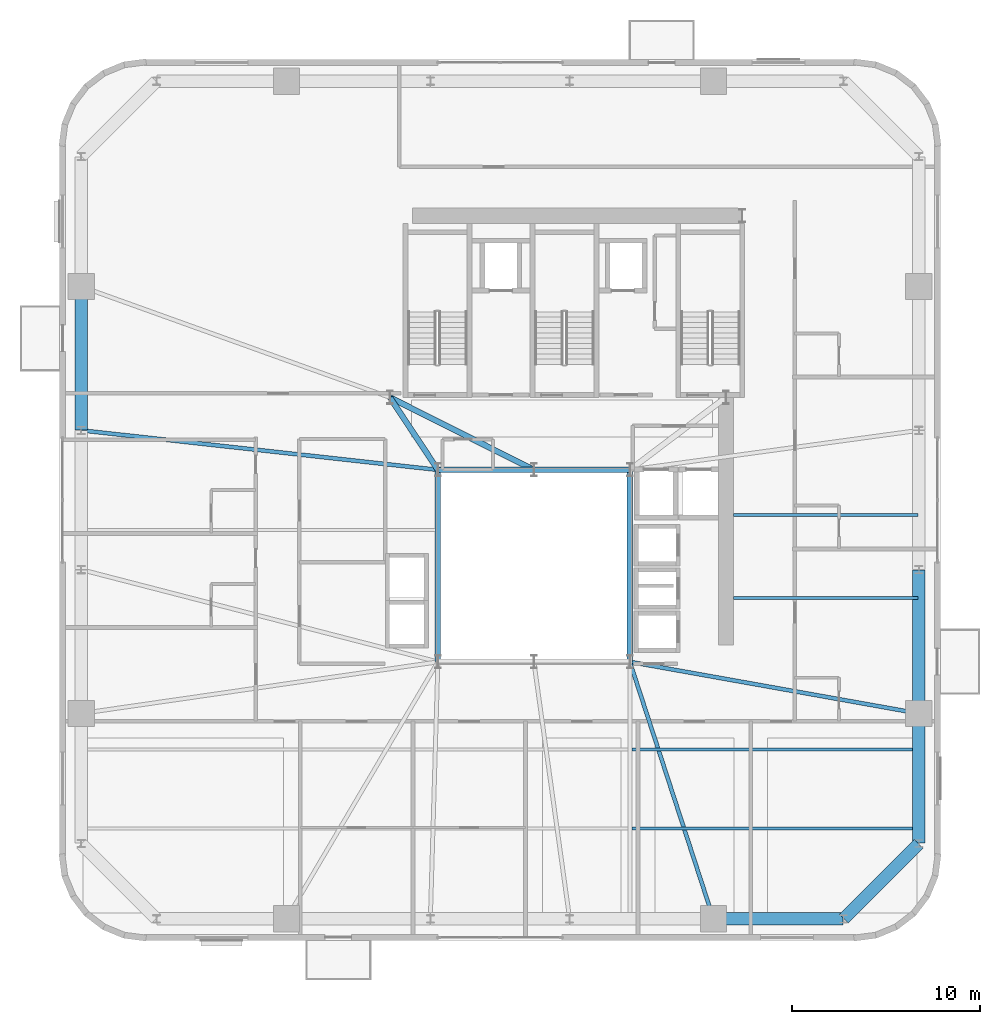
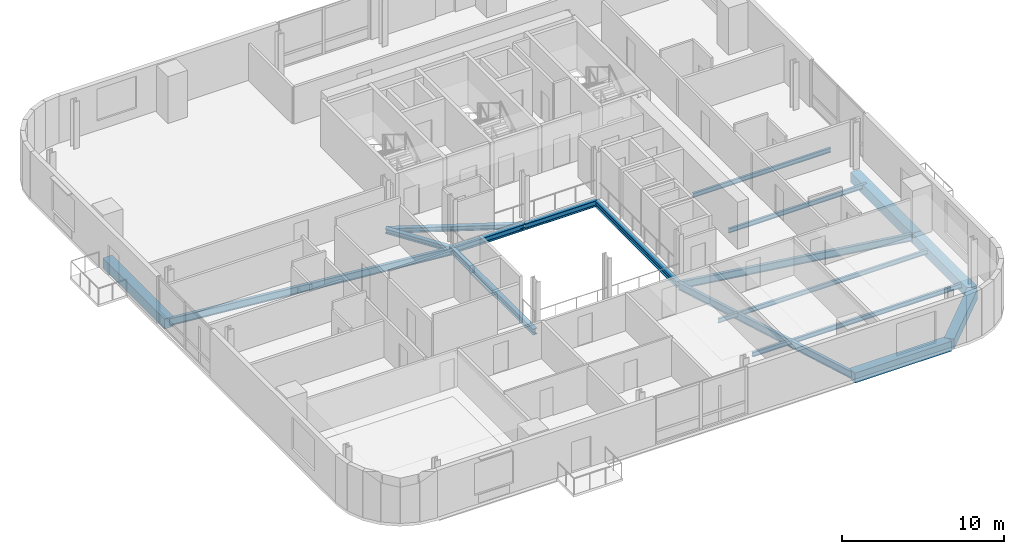
# One storey, part 4 of 16: 18 beams.
"""IFC4 building model written with IfcOpenShell, lengths in metres."""

from ifc_helpers import new_model, si_unit, direction, frame, origin, origin_2d, place, context, subcontext, project, spatial, rectangle, i_section, extrude, source, transform, mapped, material, material_profile, profile_set, type_object, element, save


model = new_model("IFC4")

# Units and contexts
model_context = context("Model", 3, precision=1e-05, world=origin(), true_north=direction((0.0, 1.0)))
body_context = subcontext(model_context, "Body", "Model", "MODEL_VIEW")
ifc_project = project(units=[si_unit("LENGTHUNIT", "METRE"), si_unit("AREAUNIT", "SQUARE_METRE"), si_unit("VOLUMEUNIT", "CUBIC_METRE"), si_unit("PLANEANGLEUNIT", "RADIAN"), si_unit("MASSUNIT", "GRAM", prefix="KILO")], contexts=[model_context])

# Site, building, storey
site_placement = place(None, origin())
site = spatial("IfcSite", under=ifc_project, at=site_placement, CompositionType="ELEMENT")
building_placement = place(site_placement, origin())
building = spatial("IfcBuilding", under=site, at=building_placement, Name="Vardaveli Station Tower", CompositionType="ELEMENT")
storey_placement = place(building_placement, frame((0.0, 0.0, 203.550048828125)))
storey = spatial("IfcBuildingStorey", under=building, at=storey_placement, Name="L52", CompositionType="ELEMENT", Elevation=203.550048828125)

# Beams
ifc_material_1 = material(Name="Structural steel S355J2", Category="steel")
ifc_material_profile_1 = material_profile(ifc_material_1, i_section(OverallWidth=0.300048828125, OverallDepth=0.449951171875, WebThickness=0.013916015625, FlangeThickness=0.02587890625, FilletRadius=0.027099609375, at=origin_2d()), Name="HEB 450")
ifc_profile_set_1 = profile_set([ifc_material_profile_1], Name="Structural steel S355J2")
beam_type_1 = type_object("IfcBeamType", Name="BM-HEB450", PredefinedType="BEAM", material=ifc_profile_set_1)
shared_shape_1 = source(origin(), body_context, "Body", "SweptSolid", [
    extrude(i_section(OverallWidth=0.300048828125, OverallDepth=0.449951171875, WebThickness=0.013916015625, FlangeThickness=0.02587890625, FilletRadius=0.027099609375, at=origin_2d()), origin(), (0.0, 0.0, 1.0), 5.06005859375),
])
beam_1_placement = place(storey_placement, frame((36.280029296875, 26.800048828125, -0.445068359375), z_axis=(-1.0, 0.0, 0.0), x_axis=(0.0, -1.0, 0.0)))
element("IfcBeam", 1, at=beam_1_placement, inside=storey, type_object=beam_type_1, Name="ABM-L52-05", PredefinedType="BEAM", context=body_context, shape_type="MappedRepresentation", body=[
    mapped(shared_shape_1, transform((0.0, 0.0, 0.0), scale=1.0)),
])
shared_shape_2 = source(origin(), body_context, "Body", "SweptSolid", [
    extrude(i_section(OverallWidth=0.300048828125, OverallDepth=0.449951171875, WebThickness=0.013916015625, FlangeThickness=0.02587890625, FilletRadius=0.027099609375, at=origin_2d()), origin(), (0.0, 0.0, 1.0), 5.059814453125),
])
beam_2_placement = place(storey_placement, frame((41.3798828125, 26.800048828125, -0.445068359375), z_axis=(-1.0, 0.0, 0.0), x_axis=(0.0, -1.0, 0.0)))
element("IfcBeam", 2, at=beam_2_placement, inside=storey, type_object=beam_type_1, Name="ABM-L52-04", PredefinedType="BEAM", context=body_context, shape_type="MappedRepresentation", body=[
    mapped(shared_shape_2, transform((0.0, 0.0, 0.0), scale=1.0)),
])
shared_shape_3 = source(origin(), body_context, "Body", "SweptSolid", [
    extrude(i_section(OverallWidth=0.300048828125, OverallDepth=0.449951171875, WebThickness=0.013916015625, FlangeThickness=0.02587890625, FilletRadius=0.027099609375, at=origin_2d()), origin(), (0.0, 0.0, 1.0), 10.159912109375),
])
for number, where, z_axis, x_axis, name in (
    (3, (41.39990234375, 16.6201171875, -0.445068359375), (0.0, 1.0, 0.0), (-1.0, 0.0, 0.0), "ABM-L52-03"),
    (4, (31.199951171875, 26.780029296875, -0.445068359375), (0.0, -1.0, 0.0), (1.0, 0.0, 0.0), "ABM-L52-06"),
):
    element("IfcBeam", number, at=place(storey_placement, frame(where, z_axis=z_axis, x_axis=x_axis)), inside=storey, type_object=beam_type_1, Name=name, PredefinedType="BEAM", context=body_context, shape_type="MappedRepresentation", body=[
        mapped(shared_shape_3, transform((0.0, 0.0, 0.0), scale=1.0)),
    ])
ifc_material_profile_2 = material_profile(ifc_material_1, i_section(OverallWidth=0.300048828125, OverallDepth=0.360107421875, WebThickness=0.012451171875, FlangeThickness=0.0224609375, FilletRadius=0.027099609375, at=origin_2d()), Name="HEB 360")
ifc_profile_set_2 = profile_set([ifc_material_profile_2], Name="Structural steel S355J2")
beam_type_2 = type_object("IfcBeamType", Name="BM-HEB360", PredefinedType="BEAM", material=ifc_profile_set_2)
shared_shape_4 = source(origin(), body_context, "Body", "SweptSolid", [
    extrude(i_section(OverallWidth=0.300048828125, OverallDepth=0.360107421875, WebThickness=0.012451171875, FlangeThickness=0.0224609375, FilletRadius=0.027099609375, at=origin_2d()), origin(), (0.0, 0.0, 1.0), 4.577880859375),
])
beam_3_placement = place(storey_placement, frame((31.18896484375, 26.816650390625, -0.400146484375), z_axis=(-0.55218702139, 0.833720272879, 0.0), x_axis=(-0.833720272879, -0.55218702139, 0.0)))
element("IfcBeam", 5, at=beam_3_placement, inside=storey, type_object=beam_type_2, Name="CBM-L52-01", PredefinedType="BEAM", context=body_context, shape_type="MappedRepresentation", body=[
    mapped(shared_shape_4, transform((0.0, 0.0, 0.0), scale=1.0)),
])
shared_shape_5 = source(origin(), body_context, "Body", "SweptSolid", [
    extrude(i_section(OverallWidth=0.300048828125, OverallDepth=0.360107421875, WebThickness=0.012451171875, FlangeThickness=0.0224609375, FilletRadius=0.027099609375, at=origin_2d()), origin(), (0.0, 0.0, 1.0), 8.524169921875),
])
beam_4_placement = place(storey_placement, frame((28.66796875, 30.64111328125, -0.400146484375), z_axis=(0.893255584708, -0.449549174605, 0.0), x_axis=(0.449549174605, 0.893255584708, 0.0)))
element("IfcBeam", 6, at=beam_4_placement, inside=storey, type_object=beam_type_2, Name="CBM-L52-03", PredefinedType="BEAM", context=body_context, shape_type="MappedRepresentation", body=[
    mapped(shared_shape_5, transform((0.0, 0.0, 0.0), scale=1.0)),
])
ifc_material_2 = material(Name="Precast concrete C45/55", Category="concrete")
ifc_material_profile_3 = material_profile(ifc_material_2, rectangle(XDim=0.64990234375, YDim=0.75, at=origin_2d()), Name="LPB 650x750")
ifc_profile_set_3 = profile_set([ifc_material_profile_3], Name="Precast concrete C45/55")
beam_type_3 = type_object("IfcBeamType", Name="BM-LPB-750", PredefinedType="BEAM", material=ifc_profile_set_3)
shared_shape_6 = source(origin(), body_context, "Body", "SweptSolid", [
    extrude(rectangle(XDim=0.64990234375, YDim=0.75, at=origin_2d()), origin(), (0.0, 0.0, 1.0), 7.60009765625),
])
for number, where, z_axis, x_axis, name in (
    (7, (56.75, 13.8798828125, -0.594970703125), (0.0, 1.0, 0.0), (-1.0, 0.0, 0.0), "RBM-L52-07"),
    (8, (12.25, 36.52001953125, -0.594970703125), (0.0, -1.0, 0.0), (1.0, 0.0, 0.0), "RBM-L52-19"),
):
    element("IfcBeam", number, at=place(storey_placement, frame(where, z_axis=z_axis, x_axis=x_axis)), inside=storey, type_object=beam_type_3, Name=name, PredefinedType="BEAM", context=body_context, shape_type="MappedRepresentation", body=[
        mapped(shared_shape_6, transform((0.0, 0.0, 0.0), scale=1.0)),
    ])
shared_shape_7 = source(origin(), body_context, "Body", "SweptSolid", [
    extrude(rectangle(XDim=0.64990234375, YDim=0.75, at=origin_2d()), origin(), (0.0, 0.0, 1.0), 6.869873046875),
])
beam_5_placement = place(storey_placement, frame((45.860107421875, 2.949951171875, -0.594970703125), z_axis=(1.0, 0.0, 0.0), x_axis=(0.0, 1.0, 0.0)))
element("IfcBeam", 9, at=beam_5_placement, inside=storey, type_object=beam_type_3, Name="RBM-L52-04", PredefinedType="BEAM", context=body_context, shape_type="MappedRepresentation", body=[
    mapped(shared_shape_7, transform((0.0, 0.0, 0.0), scale=1.0)),
])
shared_shape_8 = source(origin(), body_context, "Body", "SweptSolid", [
    extrude(rectangle(XDim=0.64990234375, YDim=0.75, at=origin_2d()), origin(), (0.0, 0.0, 1.0), 5.61669921875),
])
beam_6_placement = place(storey_placement, frame((52.76416015625, 2.964111328125, -0.594970703125), z_axis=(0.707106781187, 0.707106781187, 0.0), x_axis=(-0.707106781187, 0.707106781187, 0.0)))
element("IfcBeam", 10, at=beam_6_placement, inside=storey, type_object=beam_type_3, Name="RBM-L52-05", PredefinedType="BEAM", context=body_context, shape_type="MappedRepresentation", body=[
    mapped(shared_shape_8, transform((0.0, 0.0, 0.0), scale=1.0)),
])
shared_shape_9 = source(origin(), body_context, "Body", "SweptSolid", [
    extrude(rectangle(XDim=0.64990234375, YDim=0.75, at=origin_2d()), origin(), (0.0, 0.0, 1.0), 6.8701171875),
])
beam_7_placement = place(storey_placement, frame((56.75, 6.969970703125, -0.594970703125), z_axis=(0.0, 1.0, 0.0), x_axis=(-1.0, 0.0, 0.0)))
element("IfcBeam", 11, at=beam_7_placement, inside=storey, type_object=beam_type_3, Name="RBM-L52-06", PredefinedType="BEAM", context=body_context, shape_type="MappedRepresentation", body=[
    mapped(shared_shape_9, transform((0.0, 0.0, 0.0), scale=1.0)),
])
ifc_material_profile_4 = material_profile(ifc_material_1, i_section(OverallWidth=0.159912109375, OverallDepth=0.330078125, WebThickness=0.007568359375, FlangeThickness=0.011474609375, FilletRadius=0.01806640625, at=origin_2d()), Name="IPE 330")
ifc_profile_set_4 = profile_set([ifc_material_profile_4], Name="Structural steel S355J2")
beam_type_4 = type_object("IfcBeamType", Name="BM-IPE330", PredefinedType="JOIST", material=ifc_profile_set_4)
shared_shape_10 = source(origin(), body_context, "Body", "SweptSolid", [
    extrude(i_section(OverallWidth=0.159912109375, OverallDepth=0.330078125, WebThickness=0.007568359375, FlangeThickness=0.011474609375, FilletRadius=0.01806640625, at=origin_2d()), origin(), (0.0, 0.0, 1.0), 15.197998046875),
])
for number, where, z_axis, x_axis, name in (
    (12, (41.511962890625, 7.75, -0.385009765625), (1.0, 0.0, 0.0), (0.0, 1.0, 0.0), "SJ-L52-S02"),
    (13, (41.511962890625, 11.949951171875, -0.385009765625), (1.0, 0.0, 0.0), (0.0, 1.0, 0.0), "SJ-L52-S04"),
):
    element("IfcBeam", number, at=place(storey_placement, frame(where, z_axis=z_axis, x_axis=x_axis)), inside=storey, type_object=beam_type_4, Name=name, PredefinedType="JOIST", context=body_context, shape_type="MappedRepresentation", body=[
        mapped(shared_shape_10, transform((0.0, 0.0, 0.0), scale=1.0)),
    ])
shared_shape_11 = source(origin(), body_context, "Body", "SweptSolid", [
    extrude(i_section(OverallWidth=0.159912109375, OverallDepth=0.330078125, WebThickness=0.007568359375, FlangeThickness=0.011474609375, FilletRadius=0.01806640625, at=origin_2d()), origin(), (0.0, 0.0, 1.0), 9.804931640625),
])
for number, where, z_axis, x_axis, name in (
    (14, (46.905029296875, 20.0, -0.385009765625), (1.0, 0.0, 0.0), (0.0, 1.0, 0.0), "SJ-L52-E07"),
    (15, (46.905029296875, 24.39990234375, -0.385009765625), (1.0, 0.0, 0.0), (0.0, 1.0, 0.0), "SJ-L52-E08"),
):
    element("IfcBeam", number, at=place(storey_placement, frame(where, z_axis=z_axis, x_axis=x_axis)), inside=storey, type_object=beam_type_4, Name=name, PredefinedType="JOIST", context=body_context, shape_type="MappedRepresentation", body=[
        mapped(shared_shape_11, transform((0.0, 0.0, 0.0), scale=1.0)),
    ])
ifc_material_profile_5 = material_profile(ifc_material_1, i_section(OverallWidth=0.2099609375, OverallDepth=0.550048828125, WebThickness=0.010986328125, FlangeThickness=0.01708984375, FilletRadius=0.02392578125, at=origin_2d()), Name="IPE 550")
ifc_profile_set_5 = profile_set([ifc_material_profile_5], Name="Structural steel S355J2")
beam_type_5 = type_object("IfcBeamType", Name="BM-IPE550", PredefinedType="BEAM", material=ifc_profile_set_5)
shared_shape_12 = source(origin(), body_context, "Body", "SweptSolid", [
    extrude(i_section(OverallWidth=0.2099609375, OverallDepth=0.550048828125, WebThickness=0.010986328125, FlangeThickness=0.01708984375, FilletRadius=0.02392578125, at=origin_2d()), origin(), (0.0, 0.0, 1.0), 14.31396484375),
])
beam_8_placement = place(storey_placement, frame((45.833740234375, 2.968994140625, -0.4951171875), z_axis=(-0.309311678023, 0.950960717295, 0.0), x_axis=(-0.950960717295, -0.309311678023, 0.0)))
element("IfcBeam", 16, at=beam_8_placement, inside=storey, type_object=beam_type_5, Name="GBM-L52-04", PredefinedType="BEAM", context=body_context, shape_type="MappedRepresentation", body=[
    mapped(shared_shape_12, transform((0.0, 0.0, 0.0), scale=1.0)),
])
shared_shape_13 = source(origin(), body_context, "Body", "SweptSolid", [
    extrude(i_section(OverallWidth=0.2099609375, OverallDepth=0.550048828125, WebThickness=0.010986328125, FlangeThickness=0.01708984375, FilletRadius=0.02392578125, at=origin_2d()), origin(), (0.0, 0.0, 1.0), 15.552490234375),
])
beam_9_placement = place(storey_placement, frame((56.730224609375, 13.863525390625, -0.4951171875), z_axis=(-0.984439991578, 0.1757210943, 0.0), x_axis=(-0.1757210943, -0.984439991578, 0.0)))
element("IfcBeam", 17, at=beam_9_placement, inside=storey, type_object=beam_type_5, Name="GBM-L52-05", PredefinedType="BEAM", context=body_context, shape_type="MappedRepresentation", body=[
    mapped(shared_shape_13, transform((0.0, 0.0, 0.0), scale=1.0)),
])
shared_shape_14 = source(origin(), body_context, "Body", "SweptSolid", [
    extrude(i_section(OverallWidth=0.2099609375, OverallDepth=0.550048828125, WebThickness=0.010986328125, FlangeThickness=0.01708984375, FilletRadius=0.02392578125, at=origin_2d()), origin(), (0.0, 0.0, 1.0), 19.026123046875),
])
beam_10_placement = place(storey_placement, frame((12.269775390625, 28.897705078125, -0.4951171875), z_axis=(0.993916552721, -0.110135762707, 0.0), x_axis=(0.110135762707, 0.993916552721, 0.0)))
element("IfcBeam", 18, at=beam_10_placement, inside=storey, type_object=beam_type_5, Name="GBM-L52-08", PredefinedType="BEAM", context=body_context, shape_type="MappedRepresentation", body=[
    mapped(shared_shape_14, transform((0.0, 0.0, 0.0), scale=1.0)),
])

save(model, "model.ifc")
